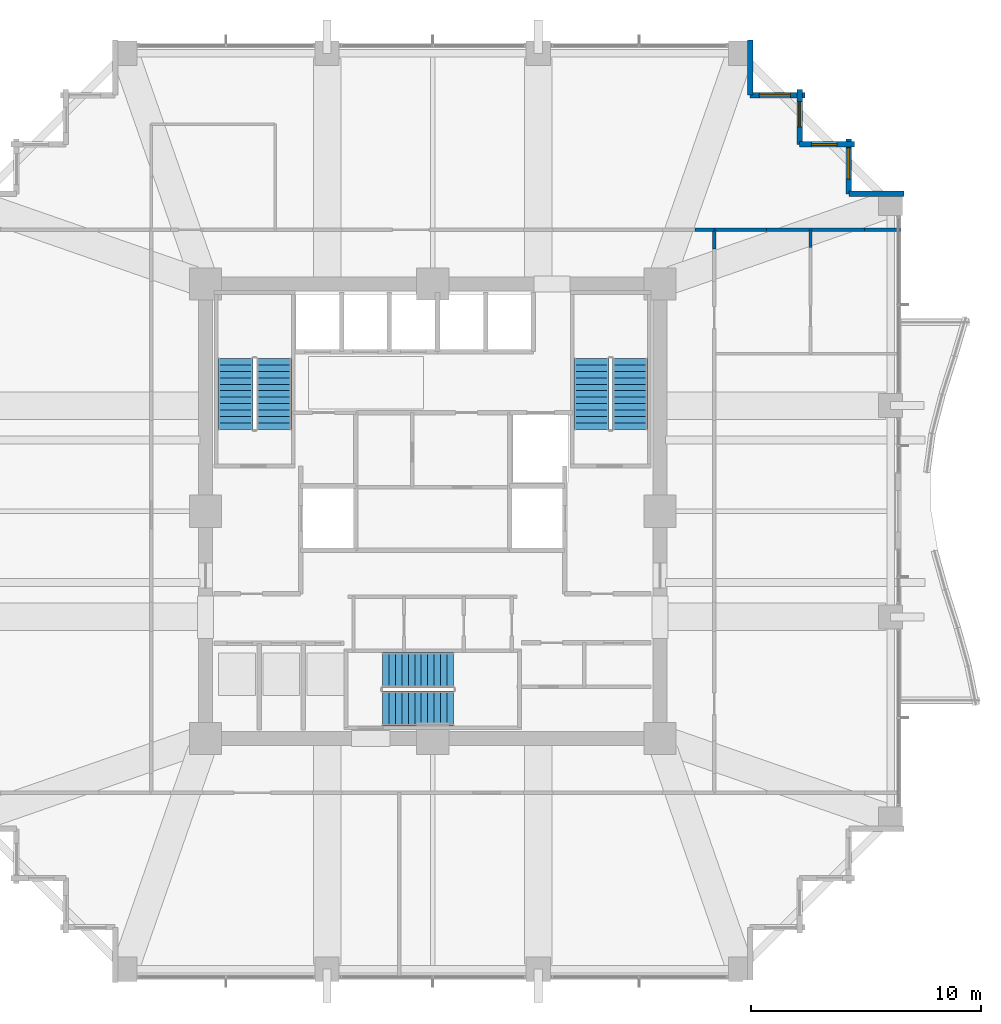
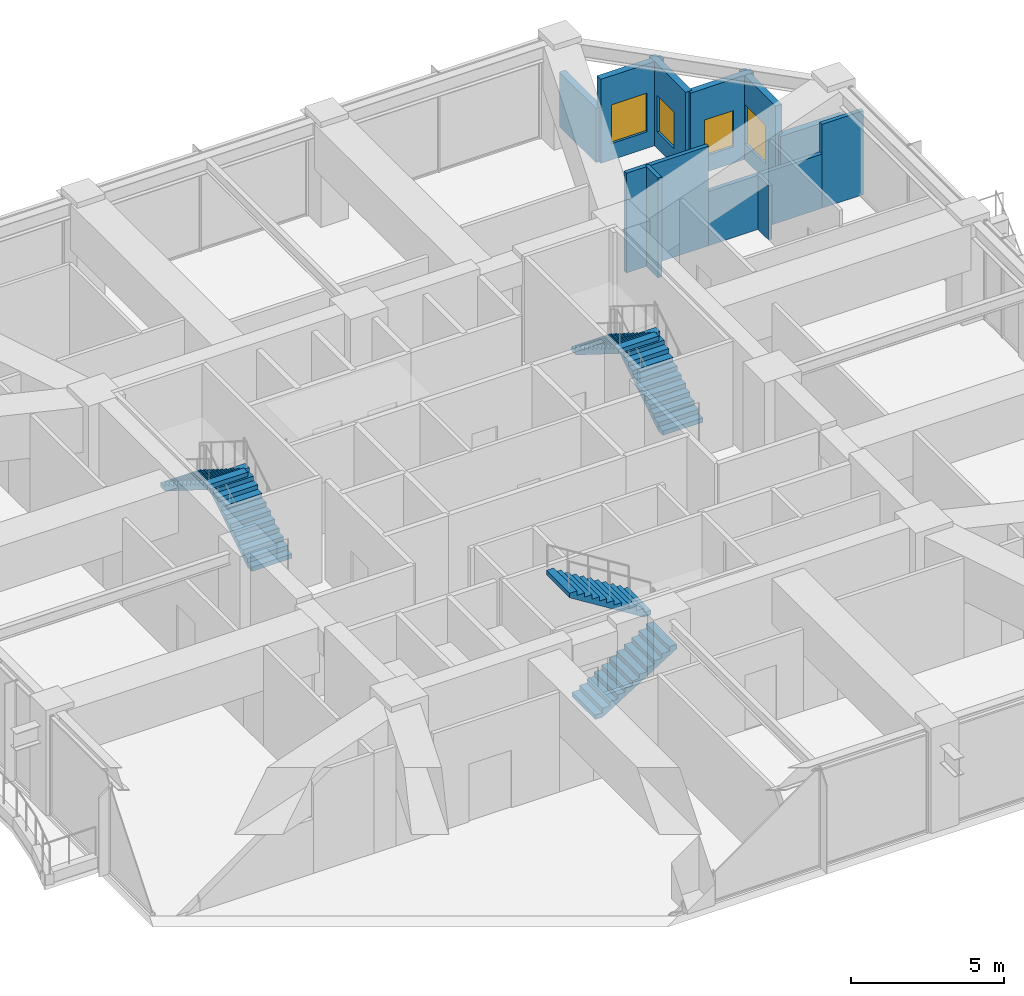
# One storey, part 37 of 40: 12 walls, 6 stair flights, 4 windows, 4 openings, 3 elements without a shape of their own.
"""IFC4 building model written with IfcOpenShell, lengths in metres."""

from ifc_helpers import new_model, si_unit, direction, frame, frame_2d, origin, place, context, subcontext, project, spatial, polyline, rectangle, outline, extrude, material, layer, layer_set, type_object, element, fill, aggregate, save


model = new_model("IFC4")

# Units and contexts
model_context = context("Model", 3, precision=1e-05, world=origin(), true_north=direction((0.0, 1.0)))
body_context = subcontext(model_context, "Body", "Model", "MODEL_VIEW")
ifc_project = project(units=[si_unit("LENGTHUNIT", "METRE"), si_unit("AREAUNIT", "SQUARE_METRE"), si_unit("VOLUMEUNIT", "CUBIC_METRE"), si_unit("PLANEANGLEUNIT", "RADIAN"), si_unit("MASSUNIT", "GRAM", prefix="KILO")], contexts=[model_context])

# Site, building, storey
site_placement = place(None, origin())
site = spatial("IfcSite", under=ifc_project, at=site_placement, CompositionType="ELEMENT")
building_placement = place(site_placement, origin())
building = spatial("IfcBuilding", under=site, at=building_placement, Name="Kolvaren Belvedere", CompositionType="ELEMENT")
storey_placement = place(building_placement, frame((0.0, 0.0, 68.0)))
storey = spatial("IfcBuildingStorey", under=building, at=storey_placement, Name="L19", CompositionType="ELEMENT", Elevation=68.0)

# Walls
ifc_material_1 = material(Name="Gypsum fire-rated partition assembly", Category="gypsum")
ifc_layer_1 = layer(ifc_material_1, 0.14990234375)
ifc_layer_set_1 = layer_set([ifc_layer_1], Name="Gypsum fire-rated partition assembly")
wall_type_1 = type_object("IfcWallType", Name="WL-CORR-150", PredefinedType="PARTITIONING", material=ifc_layer_set_1)
for number, where, z_axis, x_axis, name in (
    (1, (11.43017578125, 12.260009765625, 0.0), (0.0, 0.0, 1.0), (1.0, 0.0, 0.0), "L19 North Corridor Wall"),
    (2, (12.260009765625, 11.43017578125, 0.0), (0.0, 0.0, 1.0), (0.0, 1.0, 0.0), "L19 East Corridor Wall"),
):
    element("IfcWall", number, at=place(storey_placement, frame(where, z_axis=z_axis, x_axis=x_axis)), inside=storey, type_object=wall_type_1, Name=name, PredefinedType="PARTITIONING", context=body_context, shape_type="SweptSolid", body=[
        extrude(rectangle(XDim=0.829833984375, YDim=0.14990234375, at=frame_2d((0.4150390625, 0.0))), origin(), (0.0, 0.0, 1.0), 3.97998046875),
    ])
wall_1_placement = place(storey_placement, frame((12.260009765625, 12.260009765625, 0.0), z_axis=(0.0, 0.0, 1.0), x_axis=(1.0, 0.0, 0.0)))
element("IfcWall", 3, at=wall_1_placement, inside=storey, type_object=wall_type_1, Name="L19 Sector Wall PW-L19-QNE", PredefinedType="PARTITIONING", context=body_context, shape_type="SweptSolid", body=[
    extrude(rectangle(XDim=2.27587890625, YDim=0.14990234375, at=frame_2d((1.137939453125, 0.0))), origin(), (0.0, 0.0, 1.0), 3.97998046875),
])
wall_2_placement = place(storey_placement, frame((14.535888671875, 12.260009765625, 0.0), z_axis=(0.0, 0.0, 1.0), x_axis=(1.0, 0.0, 0.0)))
element("IfcWall", 4, at=wall_2_placement, inside=storey, type_object=wall_type_1, Name="L19 Sector Wall PW-L19-QNE", PredefinedType="PARTITIONING", context=body_context, shape_type="SweptSolid", body=[
    extrude(rectangle(XDim=4.281494140625, YDim=0.14990234375, at=frame_2d((2.140625, 0.0))), origin(), (0.0, 0.0, 1.0), 2.1650390625),
])
wall_3_placement = place(storey_placement, frame((18.8173828125, 12.260009765625, 0.0), z_axis=(0.0, 0.0, 1.0), x_axis=(1.0, 0.0, 0.0)))
element("IfcWall", 5, at=wall_3_placement, inside=storey, type_object=wall_type_1, Name="L19 Sector Wall PW-L19-QNE", PredefinedType="PARTITIONING", context=body_context, shape_type="SweptSolid", body=[
    extrude(rectangle(XDim=1.5625, YDim=0.14990234375, at=frame_2d((0.78125, 0.0))), origin(), (0.0, 0.0, 1.0), 3.34912109375),
])
ifc_material_2 = material(Name="Insulated pale-metal facade wall assembly", Category="aluminium")
ifc_layer_2 = layer(ifc_material_2, 0.239990234375)
ifc_layer_set_2 = layer_set([ifc_layer_2], Name="Insulated pale-metal facade wall assembly")
wall_type_2 = type_object("IfcWallType", Name="WL-EXT-240", PredefinedType="STANDARD", material=ifc_layer_set_2)
wall_4_placement = place(storey_placement, frame((18.1298828125, 13.830078125, 0.0), z_axis=(0.0, 0.0, 1.0), x_axis=(1.0, 0.0, 0.0)))
element("IfcWall", 6, at=wall_4_placement, inside=storey, type_object=wall_type_2, Name="L19 Serrated Corner Facade Wall 9", PredefinedType="STANDARD", context=body_context, shape_type="SweptSolid", body=[
    extrude(rectangle(XDim=2.39013671875, YDim=0.239990234375, at=frame_2d((1.195068359375, 0.0))), origin(), (0.0, 0.0, 1.0), 2.175048828125),
])

# Wall, opening, window
wall_5_placement = place(storey_placement, frame((18.1298828125, 16.219970703125, 0.0), z_axis=(0.0, 0.0, 1.0), x_axis=(0.0, -1.0, 0.0)))
wall_5 = element("IfcWall", 7, at=wall_5_placement, inside=storey, type_object=wall_type_2, Name="L19 Serrated Corner Facade Wall 10", PredefinedType="STANDARD", context=body_context, shape_type="SweptSolid", body=[
    extrude(rectangle(XDim=2.389892578125, YDim=0.239990234375, at=frame_2d((1.19482421875, 0.0))), origin(), (0.0, 0.0, 1.0), 3.35888671875),
])
opening_1_placement = place(wall_5_placement, frame((0.39990234375, 0.0, 0.64990234375)))
opening_1 = element("IfcOpeningElement", 8, at=opening_1_placement, cuts=wall_5, Name="Opening W-1350", PredefinedType="OPENING", context=body_context, shape_type="SweptSolid", body=[
    extrude(rectangle(XDim=1.35009765625, YDim=1.550048828125, at=frame_2d((0.675048828125, 0.77490234375))), frame((0.0, 0.1298828125, 0.0), z_axis=(0.0, -1.0, 0.0), x_axis=(1.0, 0.0, 0.0)), (0.0, 0.0, 1.0), 0.260009765625),
])
ifc_material_3 = material(Name="Low-iron triple insulated glass", Category="glass")
window_type_1 = type_object("IfcWindowType", Name="WN-CORN-1350", PartitioningType="SINGLE_PANEL", PredefinedType="WINDOW", material=ifc_material_3)
window_1_placement = place(opening_1_placement, origin())
window_1 = element("IfcWindow", 9, at=window_1_placement, inside=storey, type_object=window_type_1, Name="L19 Serrated Corner Vision Window 10", OverallHeight=1.550048828125, OverallWidth=1.35009765625, PartitioningType="SINGLE_PANEL", PredefinedType="WINDOW", context=body_context, shape_type="SweptSolid", body=[
    extrude(rectangle(XDim=1.35009765625, YDim=1.550048828125, at=frame_2d((0.675048828125, 0.77490234375))), frame((0.0, 0.030029296875, 0.0), z_axis=(0.0, -1.0, 0.0), x_axis=(1.0, 0.0, 0.0)), (0.0, 0.0, 1.0), 0.06005859375),
])
fill(opening_1, window_1)

wall_6_placement = place(storey_placement, frame((15.97998046875, 15.97998046875, 0.0), z_axis=(0.0, 0.0, 1.0), x_axis=(1.0, 0.0, 0.0)))
wall_6 = element("IfcWall", 10, at=wall_6_placement, inside=storey, type_object=wall_type_2, Name="L19 Serrated Corner Facade Wall 11", PredefinedType="STANDARD", context=body_context, shape_type="SweptSolid", body=[
    extrude(rectangle(XDim=2.39013671875, YDim=0.239990234375, at=frame_2d((1.195068359375, 0.0))), origin(), (0.0, 0.0, 1.0), 3.35888671875),
])
opening_2_placement = place(wall_6_placement, frame((0.52490234375, 0.0, 0.64990234375)))
opening_2 = element("IfcOpeningElement", 11, at=opening_2_placement, cuts=wall_6, Name="Opening W-1100", PredefinedType="OPENING", context=body_context, shape_type="SweptSolid", body=[
    extrude(rectangle(XDim=1.10009765625, YDim=1.449951171875, at=frame_2d((0.550048828125, 0.72509765625))), frame((0.0, 0.1298828125, 0.0), z_axis=(0.0, -1.0, 0.0), x_axis=(1.0, 0.0, 0.0)), (0.0, 0.0, 1.0), 0.260009765625),
])
ifc_material_4 = material(Name="Low-iron triple insulated glass", Category="glass")
window_type_2 = type_object("IfcWindowType", Name="WN-CORN-1100", PartitioningType="SINGLE_PANEL", PredefinedType="WINDOW", material=ifc_material_4)
window_2_placement = place(opening_2_placement, origin())
window_2 = element("IfcWindow", 12, at=window_2_placement, inside=storey, type_object=window_type_2, Name="L19 Serrated Corner Vision Window 11", OverallHeight=1.449951171875, OverallWidth=1.10009765625, PartitioningType="SINGLE_PANEL", PredefinedType="WINDOW", context=body_context, shape_type="SweptSolid", body=[
    extrude(rectangle(XDim=1.10009765625, YDim=1.449951171875, at=frame_2d((0.550048828125, 0.72509765625))), frame((0.0, 0.030029296875, 0.0), z_axis=(0.0, -1.0, 0.0), x_axis=(1.0, 0.0, 0.0)), (0.0, 0.0, 1.0), 0.06005859375),
])
fill(opening_2, window_2)

wall_7_placement = place(storey_placement, frame((15.97998046875, 18.3701171875, 0.0), z_axis=(0.0, 0.0, 1.0), x_axis=(0.0, -1.0, 0.0)))
wall_7 = element("IfcWall", 13, at=wall_7_placement, inside=storey, type_object=wall_type_2, Name="L19 Serrated Corner Facade Wall 12", PredefinedType="STANDARD", context=body_context, shape_type="SweptSolid", body=[
    extrude(rectangle(XDim=2.39013671875, YDim=0.239990234375, at=frame_2d((1.195068359375, 0.0))), origin(), (0.0, 0.0, 1.0), 3.35888671875),
])
opening_3_placement = place(wall_7_placement, frame((0.52490234375, 0.0, 0.64990234375)))
opening_3 = element("IfcOpeningElement", 14, at=opening_3_placement, cuts=wall_7, Name="Opening W-1100", PredefinedType="OPENING", context=body_context, shape_type="SweptSolid", body=[
    extrude(rectangle(XDim=1.10009765625, YDim=1.449951171875, at=frame_2d((0.550048828125, 0.72509765625))), frame((0.0, 0.1298828125, 0.0), z_axis=(0.0, -1.0, 0.0), x_axis=(1.0, 0.0, 0.0)), (0.0, 0.0, 1.0), 0.260009765625),
])
window_3_placement = place(opening_3_placement, origin())
window_3 = element("IfcWindow", 15, at=window_3_placement, inside=storey, type_object=window_type_2, Name="L19 Serrated Corner Vision Window 12", OverallHeight=1.449951171875, OverallWidth=1.10009765625, PartitioningType="SINGLE_PANEL", PredefinedType="WINDOW", context=body_context, shape_type="SweptSolid", body=[
    extrude(rectangle(XDim=1.10009765625, YDim=1.449951171875, at=frame_2d((0.550048828125, 0.72509765625))), frame((0.0, 0.030029296875, 0.0), z_axis=(0.0, -1.0, 0.0), x_axis=(1.0, 0.0, 0.0)), (0.0, 0.0, 1.0), 0.06005859375),
])
fill(opening_3, window_3)

wall_8_placement = place(storey_placement, frame((13.830078125, 18.1298828125, 0.0), z_axis=(0.0, 0.0, 1.0), x_axis=(1.0, 0.0, 0.0)))
wall_8 = element("IfcWall", 16, at=wall_8_placement, inside=storey, type_object=wall_type_2, Name="L19 Serrated Corner Facade Wall 13", PredefinedType="STANDARD", context=body_context, shape_type="SweptSolid", body=[
    extrude(rectangle(XDim=2.389892578125, YDim=0.239990234375, at=frame_2d((1.19482421875, 0.0))), origin(), (0.0, 0.0, 1.0), 3.35888671875),
])
opening_4_placement = place(wall_8_placement, frame((0.39990234375, 0.0, 0.64990234375)))
opening_4 = element("IfcOpeningElement", 17, at=opening_4_placement, cuts=wall_8, Name="Opening W-1350", PredefinedType="OPENING", context=body_context, shape_type="SweptSolid", body=[
    extrude(rectangle(XDim=1.35009765625, YDim=1.550048828125, at=frame_2d((0.675048828125, 0.77490234375))), frame((0.0, 0.1298828125, 0.0), z_axis=(0.0, -1.0, 0.0), x_axis=(1.0, 0.0, 0.0)), (0.0, 0.0, 1.0), 0.260009765625),
])
window_4_placement = place(opening_4_placement, origin())
window_4 = element("IfcWindow", 18, at=window_4_placement, inside=storey, type_object=window_type_1, Name="L19 Serrated Corner Vision Window 13", OverallHeight=1.550048828125, OverallWidth=1.35009765625, PartitioningType="SINGLE_PANEL", PredefinedType="WINDOW", context=body_context, shape_type="SweptSolid", body=[
    extrude(rectangle(XDim=1.35009765625, YDim=1.550048828125, at=frame_2d((0.675048828125, 0.77490234375))), frame((0.0, 0.030029296875, 0.0), z_axis=(0.0, -1.0, 0.0), x_axis=(1.0, 0.0, 0.0)), (0.0, 0.0, 1.0), 0.06005859375),
])
fill(opening_4, window_4)

# Walls
wall_9_placement = place(storey_placement, frame((13.830078125, 20.52001953125, 0.0), z_axis=(0.0, 0.0, 1.0), x_axis=(0.0, -1.0, 0.0)))
element("IfcWall", 19, at=wall_9_placement, inside=storey, type_object=wall_type_2, Name="L19 Serrated Corner Facade Wall 14", PredefinedType="STANDARD", context=body_context, shape_type="SweptSolid", body=[
    extrude(rectangle(XDim=2.39013671875, YDim=0.239990234375, at=frame_2d((1.195068359375, 0.0))), origin(), (0.0, 0.0, 1.0), 2.175048828125),
])
ifc_material_5 = material(Name="Moisture-resistant gypsum partition", Category="gypsum")
ifc_layer_3 = layer(ifc_material_5, 0.125)
ifc_layer_set_3 = layer_set([ifc_layer_3], Name="Moisture-resistant gypsum partition")
wall_type_3 = type_object("IfcWallType", Name="WL-WET-125", PredefinedType="PARTITIONING", material=ifc_layer_set_3)
wall_10_placement = place(storey_placement, frame((16.4599609375, 11.480712890625, 0.0), z_axis=(0.0, 0.0, 1.0), x_axis=(0.0, 1.0, 0.0)))
element("IfcWall", 20, at=wall_10_placement, inside=storey, type_object=wall_type_3, Name="L19 East Washroom Back Wall", PredefinedType="PARTITIONING", context=body_context, shape_type="SweptSolid", body=[
    extrude(rectangle(XDim=0.779296875, YDim=0.125, at=frame_2d((0.3896484375, 0.0))), origin(), (0.0, 0.0, 1.0), 2.1650390625),
])

# Stair, stair flights
ifc_material_6 = material(Name="Concrete C50/60", Category="concrete")
stair_type = type_object("IfcStairType", Name="ST-CORE-1520", PredefinedType="HALF_TURN_STAIR", material=ifc_material_6)
stair_1_placement = place(storey_placement, origin())
stair_1 = element("IfcStair", 21, at=stair_1_placement, inside=storey, type_object=stair_type, Name="L19 Protected Exit Stair ST-1", PredefinedType="HALF_TURN_STAIR")
ifc_material_7 = material(Name="Concrete C50/60", Category="concrete")
stair_flight_type = type_object("IfcStairFlightType", Name="SF-STR-1520", PredefinedType="STRAIGHT", material=ifc_material_7)
stair_flight_1_placement = place(storey_placement, frame((-6.919921875, 3.570068359375, 0.0), z_axis=(0.0, 0.0, 1.0), x_axis=(0.0, 1.0, 0.0)))
stair_flight_1 = element("IfcStairFlight", 22, at=stair_flight_1_placement, type_object=stair_flight_type, Name="ST-1 flight 1", NumberOfRisers=12, NumberOfTreads=11, PredefinedType="STRAIGHT", RiserHeight=0.175, TreadLength=0.28, context=body_context, shape_type="SweptSolid", body=[
    extrude(outline(polyline([(0.0, 0.0), (0.0, 0.175048828125), (0.280029296875, 0.175048828125), (0.280029296875, 0.35009765625), (0.56005859375, 0.35009765625), (0.56005859375, 0.52490234375), (0.840087890625, 0.52490234375), (0.840087890625, 0.699951171875), (1.1201171875, 0.699951171875), (1.1201171875, 0.875), (1.39990234375, 0.875), (1.39990234375, 1.050048828125), (1.679931640625, 1.050048828125), (1.679931640625, 1.22509765625), (1.9599609375, 1.22509765625), (1.9599609375, 1.39990234375), (2.239990234375, 1.39990234375), (2.239990234375, 1.574951171875), (2.52001953125, 1.574951171875), (2.52001953125, 1.75), (2.800048828125, 1.75), (2.800048828125, 1.925048828125), (3.080078125, 1.925048828125), (3.080078125, 2.10009765625), (3.080078125, 1.748291015625), (0.28271484375, 0.0), (0.0, 0.0)])), frame((0.0, 0.760009765625, 0.0), z_axis=(0.0, -1.0, 0.0), x_axis=(1.0, 0.0, 0.0)), (0.0, 0.0, 1.0), 1.52001953125),
])
stair_flight_2_placement = place(storey_placement, frame((-8.590087890625, 6.64990234375, 2.10009765625), z_axis=(0.0, 0.0, 1.0), x_axis=(0.0, -1.0, 0.0)))
stair_flight_2 = element("IfcStairFlight", 23, at=stair_flight_2_placement, type_object=stair_flight_type, Name="ST-1 flight 2", NumberOfRisers=12, NumberOfTreads=11, PredefinedType="STRAIGHT", RiserHeight=0.175, TreadLength=0.28, context=body_context, shape_type="SweptSolid", body=[
    extrude(outline(polyline([(0.0, 0.0), (0.0, 0.175048828125), (0.280029296875, 0.175048828125), (0.280029296875, 0.35009765625), (0.56005859375, 0.35009765625), (0.56005859375, 0.52490234375), (0.840087890625, 0.52490234375), (0.840087890625, 0.699951171875), (1.1201171875, 0.699951171875), (1.1201171875, 0.875), (1.39990234375, 0.875), (1.39990234375, 1.050048828125), (1.679931640625, 1.050048828125), (1.679931640625, 1.22509765625), (1.9599609375, 1.22509765625), (1.9599609375, 1.39990234375), (2.239990234375, 1.39990234375), (2.239990234375, 1.574951171875), (2.52001953125, 1.574951171875), (2.52001953125, 1.75), (2.800048828125, 1.75), (2.800048828125, 1.925048828125), (3.080078125, 1.925048828125), (3.080078125, 2.10009765625), (3.080078125, 1.748291015625), (0.28271484375, 0.0), (0.0, 0.0)])), frame((0.0, 0.760009765625, 0.0), z_axis=(0.0, -1.0, 0.0), x_axis=(1.0, 0.0, 0.0)), (0.0, 0.0, 1.0), 1.52001953125),
])
aggregate(stair_1, [stair_flight_1, stair_flight_2])

stair_2_placement = place(storey_placement, origin())
stair_2 = element("IfcStair", 24, at=stair_2_placement, inside=storey, type_object=stair_type, Name="L19 Protected Exit Stair ST-2", PredefinedType="HALF_TURN_STAIR")
stair_flight_3_placement = place(storey_placement, frame((8.590087890625, 3.570068359375, 0.0), z_axis=(0.0, 0.0, 1.0), x_axis=(0.0, 1.0, 0.0)))
stair_flight_3 = element("IfcStairFlight", 25, at=stair_flight_3_placement, type_object=stair_flight_type, Name="ST-2 flight 1", NumberOfRisers=12, NumberOfTreads=11, PredefinedType="STRAIGHT", RiserHeight=0.175, TreadLength=0.28, context=body_context, shape_type="SweptSolid", body=[
    extrude(outline(polyline([(0.0, 0.0), (0.0, 0.175048828125), (0.280029296875, 0.175048828125), (0.280029296875, 0.35009765625), (0.56005859375, 0.35009765625), (0.56005859375, 0.52490234375), (0.840087890625, 0.52490234375), (0.840087890625, 0.699951171875), (1.1201171875, 0.699951171875), (1.1201171875, 0.875), (1.39990234375, 0.875), (1.39990234375, 1.050048828125), (1.679931640625, 1.050048828125), (1.679931640625, 1.22509765625), (1.9599609375, 1.22509765625), (1.9599609375, 1.39990234375), (2.239990234375, 1.39990234375), (2.239990234375, 1.574951171875), (2.52001953125, 1.574951171875), (2.52001953125, 1.75), (2.800048828125, 1.75), (2.800048828125, 1.925048828125), (3.080078125, 1.925048828125), (3.080078125, 2.10009765625), (3.080078125, 1.748291015625), (0.28271484375, 0.0), (0.0, 0.0)])), frame((0.0, 0.760009765625, 0.0), z_axis=(0.0, -1.0, 0.0), x_axis=(1.0, 0.0, 0.0)), (0.0, 0.0, 1.0), 1.52001953125),
])
stair_flight_4_placement = place(storey_placement, frame((6.919921875, 6.64990234375, 2.10009765625), z_axis=(0.0, 0.0, 1.0), x_axis=(0.0, -1.0, 0.0)))
stair_flight_4 = element("IfcStairFlight", 26, at=stair_flight_4_placement, type_object=stair_flight_type, Name="ST-2 flight 2", NumberOfRisers=12, NumberOfTreads=11, PredefinedType="STRAIGHT", RiserHeight=0.175, TreadLength=0.28, context=body_context, shape_type="SweptSolid", body=[
    extrude(outline(polyline([(0.0, 0.0), (0.0, 0.175048828125), (0.280029296875, 0.175048828125), (0.280029296875, 0.35009765625), (0.56005859375, 0.35009765625), (0.56005859375, 0.52490234375), (0.840087890625, 0.52490234375), (0.840087890625, 0.699951171875), (1.1201171875, 0.699951171875), (1.1201171875, 0.875), (1.39990234375, 0.875), (1.39990234375, 1.050048828125), (1.679931640625, 1.050048828125), (1.679931640625, 1.22509765625), (1.9599609375, 1.22509765625), (1.9599609375, 1.39990234375), (2.239990234375, 1.39990234375), (2.239990234375, 1.574951171875), (2.52001953125, 1.574951171875), (2.52001953125, 1.75), (2.800048828125, 1.75), (2.800048828125, 1.925048828125), (3.080078125, 1.925048828125), (3.080078125, 2.10009765625), (3.080078125, 1.748291015625), (0.28271484375, 0.0), (0.0, 0.0)])), frame((0.0, 0.760009765625, 0.0), z_axis=(0.0, -1.0, 0.0), x_axis=(1.0, 0.0, 0.0)), (0.0, 0.0, 1.0), 1.52001953125),
])
aggregate(stair_2, [stair_flight_3, stair_flight_4])

stair_3_placement = place(storey_placement, origin())
stair_3 = element("IfcStair", 27, at=stair_3_placement, inside=storey, type_object=stair_type, Name="L19 Protected Exit Stair ST-3", PredefinedType="HALF_TURN_STAIR")
stair_flight_5_placement = place(storey_placement, frame((-2.179931640625, -8.590087890625, 0.0), z_axis=(0.0, 0.0, 1.0), x_axis=(1.0, 0.0, 0.0)))
stair_flight_5 = element("IfcStairFlight", 28, at=stair_flight_5_placement, type_object=stair_flight_type, Name="ST-3 flight 1", NumberOfRisers=12, NumberOfTreads=11, PredefinedType="STRAIGHT", RiserHeight=0.175, TreadLength=0.28, context=body_context, shape_type="SweptSolid", body=[
    extrude(outline(polyline([(0.0, 0.0), (0.0, 0.175048828125), (0.280029296875, 0.175048828125), (0.280029296875, 0.35009765625), (0.56005859375, 0.35009765625), (0.56005859375, 0.52490234375), (0.840087890625, 0.52490234375), (0.840087890625, 0.699951171875), (1.1201171875, 0.699951171875), (1.1201171875, 0.875), (1.39990234375, 0.875), (1.39990234375, 1.050048828125), (1.679931640625, 1.050048828125), (1.679931640625, 1.22509765625), (1.9599609375, 1.22509765625), (1.9599609375, 1.39990234375), (2.239990234375, 1.39990234375), (2.239990234375, 1.574951171875), (2.52001953125, 1.574951171875), (2.52001953125, 1.75), (2.800048828125, 1.75), (2.800048828125, 1.925048828125), (3.080078125, 1.925048828125), (3.080078125, 2.10009765625), (3.080078125, 1.748291015625), (0.28271484375, 0.0), (0.0, 0.0)])), frame((0.0, 0.760009765625, 0.0), z_axis=(0.0, -1.0, 0.0), x_axis=(1.0, 0.0, 0.0)), (0.0, 0.0, 1.0), 1.52001953125),
])
stair_flight_6_placement = place(storey_placement, frame((0.89990234375, -6.919921875, 2.10009765625), z_axis=(0.0, 0.0, 1.0), x_axis=(-1.0, 0.0, 0.0)))
stair_flight_6 = element("IfcStairFlight", 29, at=stair_flight_6_placement, type_object=stair_flight_type, Name="ST-3 flight 2", NumberOfRisers=12, NumberOfTreads=11, PredefinedType="STRAIGHT", RiserHeight=0.175, TreadLength=0.28, context=body_context, shape_type="SweptSolid", body=[
    extrude(outline(polyline([(0.0, 0.0), (0.0, 0.175048828125), (0.280029296875, 0.175048828125), (0.280029296875, 0.35009765625), (0.56005859375, 0.35009765625), (0.56005859375, 0.52490234375), (0.840087890625, 0.52490234375), (0.840087890625, 0.699951171875), (1.1201171875, 0.699951171875), (1.1201171875, 0.875), (1.39990234375, 0.875), (1.39990234375, 1.050048828125), (1.679931640625, 1.050048828125), (1.679931640625, 1.22509765625), (1.9599609375, 1.22509765625), (1.9599609375, 1.39990234375), (2.239990234375, 1.39990234375), (2.239990234375, 1.574951171875), (2.52001953125, 1.574951171875), (2.52001953125, 1.75), (2.800048828125, 1.75), (2.800048828125, 1.925048828125), (3.080078125, 1.925048828125), (3.080078125, 2.10009765625), (3.080078125, 1.748291015625), (0.28271484375, 0.0), (0.0, 0.0)])), frame((0.0, 0.760009765625, 0.0), z_axis=(0.0, -1.0, 0.0), x_axis=(1.0, 0.0, 0.0)), (0.0, 0.0, 1.0), 1.52001953125),
])
aggregate(stair_3, [stair_flight_5, stair_flight_6])

save(model, "model.ifc")
